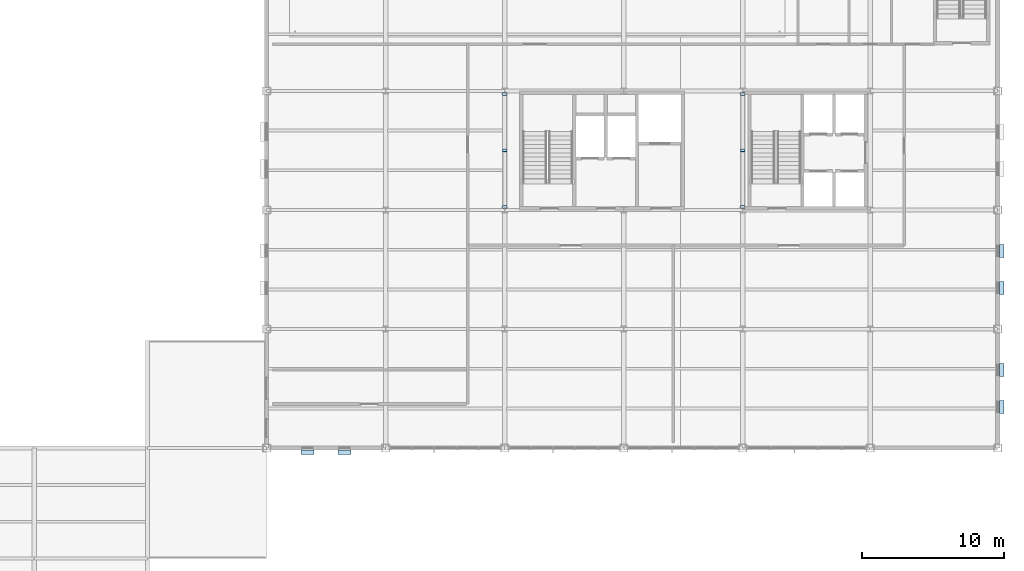
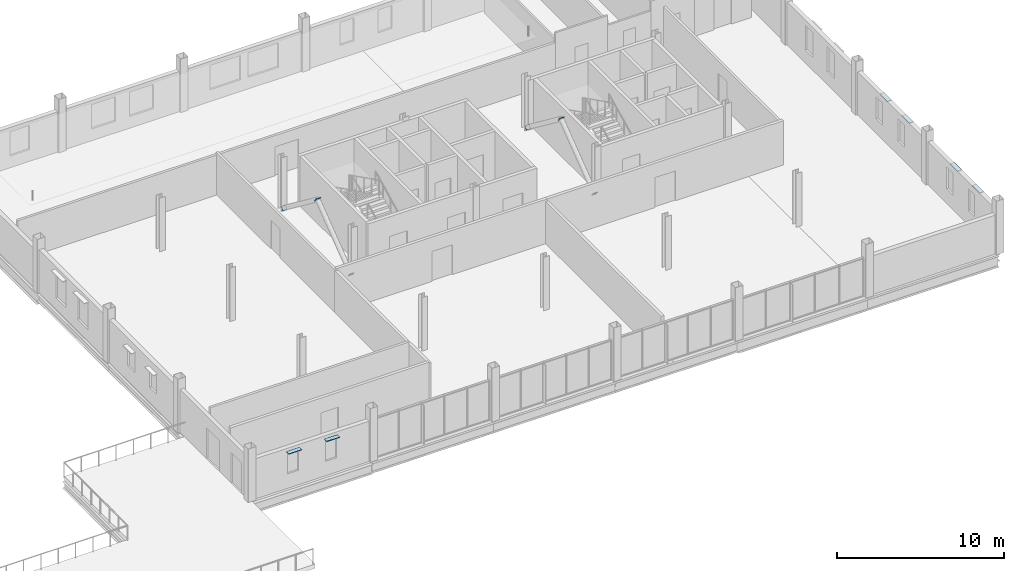
# One storey, part 61 of 77: 12 plates.
"""IFC4 building model written with IfcOpenShell, lengths in metres."""

from ifc_helpers import new_model, si_unit, direction, frame, origin, origin_2d, place, context, subcontext, project, spatial, rectangle, extrude, material, layer, layer_set, type_object, element, save


model = new_model("IFC4")

# Units and contexts
model_context = context("Model", 3, precision=1e-05, world=origin(), true_north=direction((0.0, 1.0)))
body_context = subcontext(model_context, "Body", "Model", "MODEL_VIEW")
ifc_project = project(units=[si_unit("LENGTHUNIT", "METRE"), si_unit("AREAUNIT", "SQUARE_METRE"), si_unit("VOLUMEUNIT", "CUBIC_METRE"), si_unit("PLANEANGLEUNIT", "RADIAN"), si_unit("MASSUNIT", "GRAM", prefix="KILO")], contexts=[model_context])

# Site, building, storey
site_placement = place(None, origin())
site = spatial("IfcSite", under=ifc_project, at=site_placement, CompositionType="ELEMENT")
building_placement = place(site_placement, origin())
building = spatial("IfcBuilding", under=site, at=building_placement, Name="Yukiwa Park Conservatory and Herbarium", CompositionType="ELEMENT")
storey_placement = place(building_placement, frame((0.0, 0.0, 13.199951171875)))
storey = spatial("IfcBuildingStorey", under=building, at=storey_placement, Name="L03", CompositionType="ELEMENT", Elevation=13.199951171875)

# Plates
ifc_material_1 = material(Name="Steel Q355D", Category="steel")
ifc_layer_1 = layer(ifc_material_1, 0.02392578125)
ifc_layer_set_1 = layer_set([ifc_layer_1], Name="Steel Q355D")
plate_type_1 = type_object("IfcPlateType", Name="PL-CAP-24-INT", PredefinedType="USERDEFINED", material=ifc_layer_set_1)
for number, where, z_axis, x_axis, name in (
    (1, (133.199951171875, 95.01171875, 0.2109375), (0.0, -0.792623989105, -0.60971076085), (1.0, 0.0, 0.0), "Hollow section end cap plate CAP-BR-L03-025A"),
    (2, (133.199951171875, 98.99365234375, 3.240234375), (0.0, 0.797539341706, 0.603266937957), (-1.0, 0.0, 0.0), "Hollow section end cap plate CAP-BR-L03-025B"),
    (3, (133.199951171875, 102.98828125, 0.2109375), (0.0, 0.792623989105, -0.60971076085), (-1.0, 0.0, 0.0), "Hollow section end cap plate CAP-BR-L03-026A"),
    (4, (150.0, 95.01171875, 0.2109375), (0.0, -0.792623989105, -0.60971076085), (1.0, 0.0, 0.0), "Hollow section end cap plate CAP-BR-L03-027A"),
    (5, (150.0, 98.99365234375, 3.240234375), (0.0, 0.797539341706, 0.603266937957), (-1.0, 0.0, 0.0), "Hollow section end cap plate CAP-BR-L03-027B"),
    (6, (150.0, 102.98828125, 0.2109375), (0.0, 0.792623989105, -0.60971076085), (-1.0, 0.0, 0.0), "Hollow section end cap plate CAP-BR-L03-028A"),
):
    element("IfcPlate", number, at=place(storey_placement, frame(where, z_axis=z_axis, x_axis=x_axis)), inside=storey, type_object=plate_type_1, Name=name, ObjectType="END CAP PLATE", PredefinedType="USERDEFINED", context=body_context, shape_type="SweptSolid", body=[
        extrude(rectangle(XDim=0.306396484375, YDim=0.306396484375, at=origin_2d()), origin(), (0.0, 0.0, 1.0), 0.02392578125),
    ])
ifc_material_2 = material(Name="Anodised Aluminium", Category="aluminium")
ifc_layer_2 = layer(ifc_material_2, 0.0400390625)
ifc_layer_set_2 = layer_set([ifc_layer_2], Name="Anodised Aluminium")
plate_type_2 = type_object("IfcPlateType", Name="PL-SHADE-ALU-40", PredefinedType="SHEET", material=ifc_layer_set_2)
for number, where, z_axis, x_axis, name in (
    (7, (168.2900390625, 80.89208984375, 2.68994140625), (0.0, 0.0, 1.0), (0.0, 1.0, 0.0), "L03 snow-shedding window hood 120"),
    (8, (168.2900390625, 83.508056640625, 2.68994140625), (0.0, 0.0, 1.0), (0.0, 1.0, 0.0), "L03 snow-shedding window hood 121"),
    (9, (168.2900390625, 89.2919921875, 2.68994140625), (0.0, 0.0, 1.0), (0.0, 1.0, 0.0), "L03 snow-shedding window hood 122"),
    (10, (168.2900390625, 91.907958984375, 2.68994140625), (0.0, 0.0, 1.0), (0.0, 1.0, 0.0), "L03 snow-shedding window hood 123"),
    (11, (119.2919921875, 77.7099609375, 2.669921875), (0.0, 0.0, 1.0), (1.0, 0.0, 0.0), "L03 snow-shedding window hood 130"),
    (12, (121.907958984375, 77.7099609375, 2.669921875), (0.0, 0.0, 1.0), (1.0, 0.0, 0.0), "L03 snow-shedding window hood 131"),
):
    element("IfcPlate", number, at=place(storey_placement, frame(where, z_axis=z_axis, x_axis=x_axis)), inside=storey, type_object=plate_type_2, Name=name, PredefinedType="SHEET", context=body_context, shape_type="SweptSolid", body=[
        extrude(rectangle(XDim=0.909912109375, YDim=0.300048828125, at=origin_2d()), origin(), (0.0, 0.0, 1.0), 0.0400390625),
    ])

save(model, "model.ifc")
